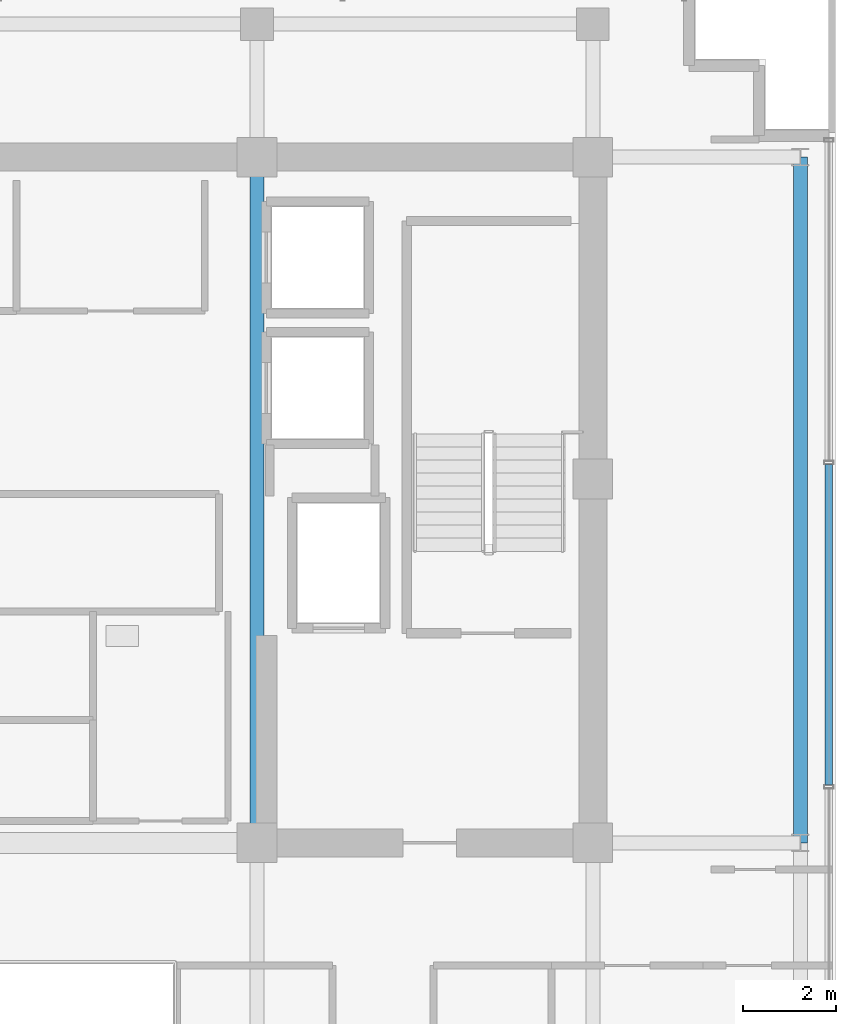
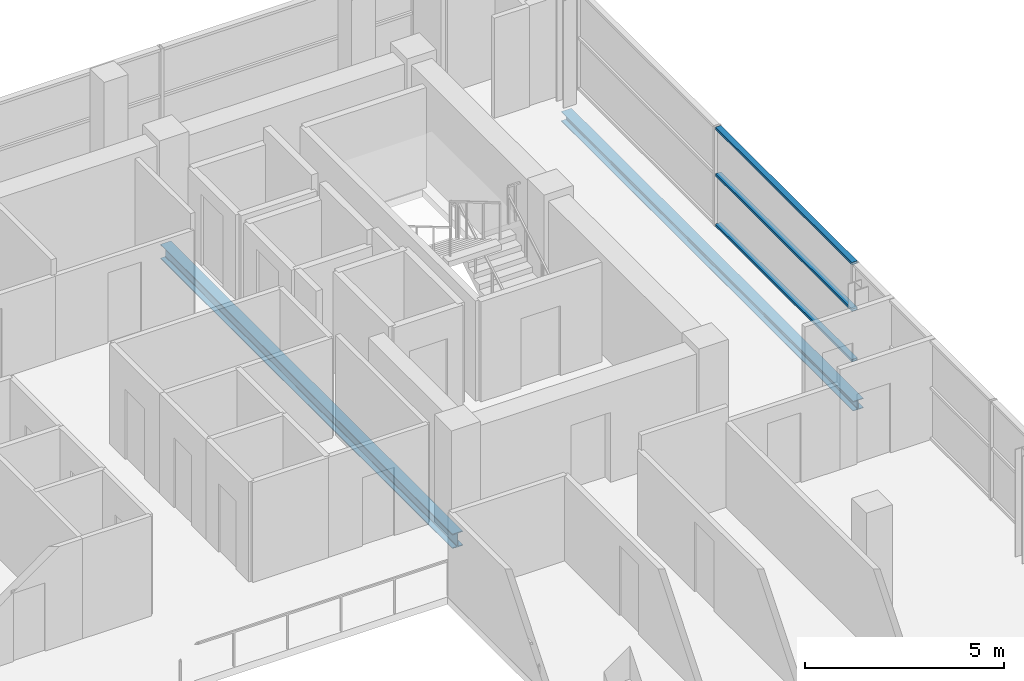
# One storey, part 9 of 22: 3 members, 2 beams, 1 element without a shape of its own.
"""IFC4 building model written with IfcOpenShell, lengths in metres."""

from ifc_helpers import new_model, si_unit, direction, frame, origin, origin_2d, place, context, subcontext, project, spatial, hollow_rectangle, i_section, extrude, source, transform, mapped, material, layer, layer_set, material_profile, profile_set, type_object, element, aggregate, save


model = new_model("IFC4")

# Units and contexts
model_context = context("Model", 3, precision=1e-05, world=origin(), true_north=direction((0.0, 1.0)))
body_context = subcontext(model_context, "Body", "Model", "MODEL_VIEW")
ifc_project = project(units=[si_unit("LENGTHUNIT", "METRE"), si_unit("AREAUNIT", "SQUARE_METRE"), si_unit("VOLUMEUNIT", "CUBIC_METRE"), si_unit("PLANEANGLEUNIT", "RADIAN"), si_unit("MASSUNIT", "GRAM", prefix="KILO")], contexts=[model_context])

# Site, building, storey
site_placement = place(None, origin())
site = spatial("IfcSite", under=ifc_project, at=site_placement, CompositionType="ELEMENT")
building_placement = place(site_placement, origin())
building = spatial("IfcBuilding", under=site, at=building_placement, Name="Zarnakvel Exchange Tower", CompositionType="ELEMENT")
storey_placement = place(building_placement, frame((0.0, 0.0, 228.699951171875)))
storey = spatial("IfcBuildingStorey", under=building, at=storey_placement, Name="L64", CompositionType="ELEMENT", Elevation=228.699951171875)

# Beams
ifc_material_1 = material(Name="Steel S355", Category="steel")
ifc_material_profile_1 = material_profile(ifc_material_1, i_section(OverallWidth=0.300048828125, OverallDepth=0.449951171875, WebThickness=0.013916015625, FlangeThickness=0.02587890625, FilletRadius=0.027099609375, at=origin_2d()))
ifc_profile_set_1 = profile_set([ifc_material_profile_1], Name="Steel S355")
beam_type_1 = type_object("IfcBeamType", Name="G-07", PredefinedType="BEAM", material=ifc_profile_set_1)
beam_1_placement = place(storey_placement, frame((7.199951171875, -1.199951171875, -0.449951171875), z_axis=(0.0, 1.0, 0.0), x_axis=(-1.0, 0.0, 0.0)))
element("IfcBeam", 1, at=beam_1_placement, inside=storey, type_object=beam_type_1, Name="L64 Tower N-S Frame Beam", PredefinedType="BEAM", context=body_context, shape_type="SweptSolid", body=[
    extrude(i_section(OverallWidth=0.300048828125, OverallDepth=0.449951171875, WebThickness=0.013916015625, FlangeThickness=0.02587890625, FilletRadius=0.027099609375, at=origin_2d()), origin(), (0.0, 0.0, 1.0), 14.699951171875),
])
ifc_material_profile_2 = material_profile(ifc_material_1, i_section(OverallWidth=0.300048828125, OverallDepth=0.300048828125, WebThickness=0.010986328125, FlangeThickness=0.01904296875, FilletRadius=0.027099609375, at=origin_2d()))
ifc_profile_set_2 = profile_set([ifc_material_profile_2], Name="Steel S355")
beam_type_2 = type_object("IfcBeamType", Name="SP-03", PredefinedType="SPANDREL", material=ifc_profile_set_2)
beam_2_placement = place(storey_placement, frame((18.85009765625, -1.199951171875, -0.375), z_axis=(0.0, 1.0, 0.0), x_axis=(-1.0, 0.0, 0.0)))
element("IfcBeam", 2, at=beam_2_placement, inside=storey, type_object=beam_type_2, Name="L64 Tower N-S Frame Beam", PredefinedType="SPANDREL", context=body_context, shape_type="SweptSolid", body=[
    extrude(i_section(OverallWidth=0.300048828125, OverallDepth=0.300048828125, WebThickness=0.010986328125, FlangeThickness=0.01904296875, FilletRadius=0.027099609375, at=origin_2d()), origin(), (0.0, 0.0, 1.0), 14.699951171875),
])

# Curtain wall, members
ifc_material_2 = material(Name="Architectural Bronze Anodised Aluminium", Category="aluminium")
ifc_layer = layer(ifc_material_2, 0.199951171875)
ifc_layer_set = layer_set([ifc_layer], Name="Architectural Bronze Anodised Aluminium")
curtain_wall_type = type_object("IfcCurtainWallType", Name="CW-04", PredefinedType="NOTDEFINED", material=ifc_layer_set)
curtain_wall_placement = place(storey_placement, origin())
curtain_wall = element("IfcCurtainWall", 3, at=curtain_wall_placement, inside=storey, type_object=curtain_wall_type, Name="L64 Curtain Wall CW-L64-E1 (CW-04)", PredefinedType="NOTDEFINED")
ifc_material_profile_3 = material_profile(ifc_material_2, hollow_rectangle(XDim=0.159912109375, YDim=0.074951171875, WallThickness=0.00390625, at=origin_2d()))
ifc_profile_set_3 = profile_set([ifc_material_profile_3], Name="Architectural Bronze Anodised Aluminium")
member_type = type_object("IfcMemberType", Name="CWT-04", PredefinedType="USERDEFINED", material=ifc_profile_set_3)
shared_shape = source(origin(), body_context, "Body", "SweptSolid", [
    extrude(hollow_rectangle(XDim=0.159912109375, YDim=0.074951171875, WallThickness=0.00390625, at=origin_2d()), origin(), (0.0, 0.0, 1.0), 6.875),
])
member_1_placement = place(storey_placement, frame((19.4599609375, 0.03759765625, 0.03759765625), z_axis=(0.0, 1.0, 0.0), x_axis=(-1.0, 0.0, 0.0)))
member_1 = element("IfcMember", 4, at=member_1_placement, type_object=member_type, Name="CW-04 transom 3.1", ObjectType="TRANSOM", PredefinedType="USERDEFINED", context=body_context, shape_type="MappedRepresentation", body=[
    mapped(shared_shape, transform((0.0, 0.0, 0.0), x_axis=(1.0, 0.0, 0.0), y_axis=(0.0, 1.0, 0.0), z_axis=(0.0, 0.0, 1.0), scale=1.0)),
])
member_2_placement = place(storey_placement, frame((19.4599609375, 0.03759765625, 1.588623046875), z_axis=(0.0, 1.0, 0.0), x_axis=(-1.0, 0.0, 0.0)))
member_2 = element("IfcMember", 5, at=member_2_placement, type_object=member_type, Name="CW-04 transom 3.2", ObjectType="TRANSOM", PredefinedType="USERDEFINED", context=body_context, shape_type="MappedRepresentation", body=[
    mapped(shared_shape, transform((0.0, 0.0, 0.0), x_axis=(1.0, 0.0, 0.0), y_axis=(0.0, 1.0, 0.0), z_axis=(0.0, 0.0, 1.0), scale=1.0)),
])
member_3_placement = place(storey_placement, frame((19.4599609375, 0.03759765625, 3.017578125), z_axis=(0.0, 1.0, 0.0), x_axis=(-1.0, 0.0, 0.0)))
member_3 = element("IfcMember", 6, at=member_3_placement, type_object=member_type, Name="CW-04 transom 3.3", ObjectType="TRANSOM", PredefinedType="USERDEFINED", context=body_context, shape_type="MappedRepresentation", body=[
    mapped(shared_shape, transform((0.0, 0.0, 0.0), x_axis=(1.0, 0.0, 0.0), y_axis=(0.0, 1.0, 0.0), z_axis=(0.0, 0.0, 1.0), scale=1.0)),
])
aggregate(curtain_wall, [member_1, member_2, member_3])

save(model, "model.ifc")
